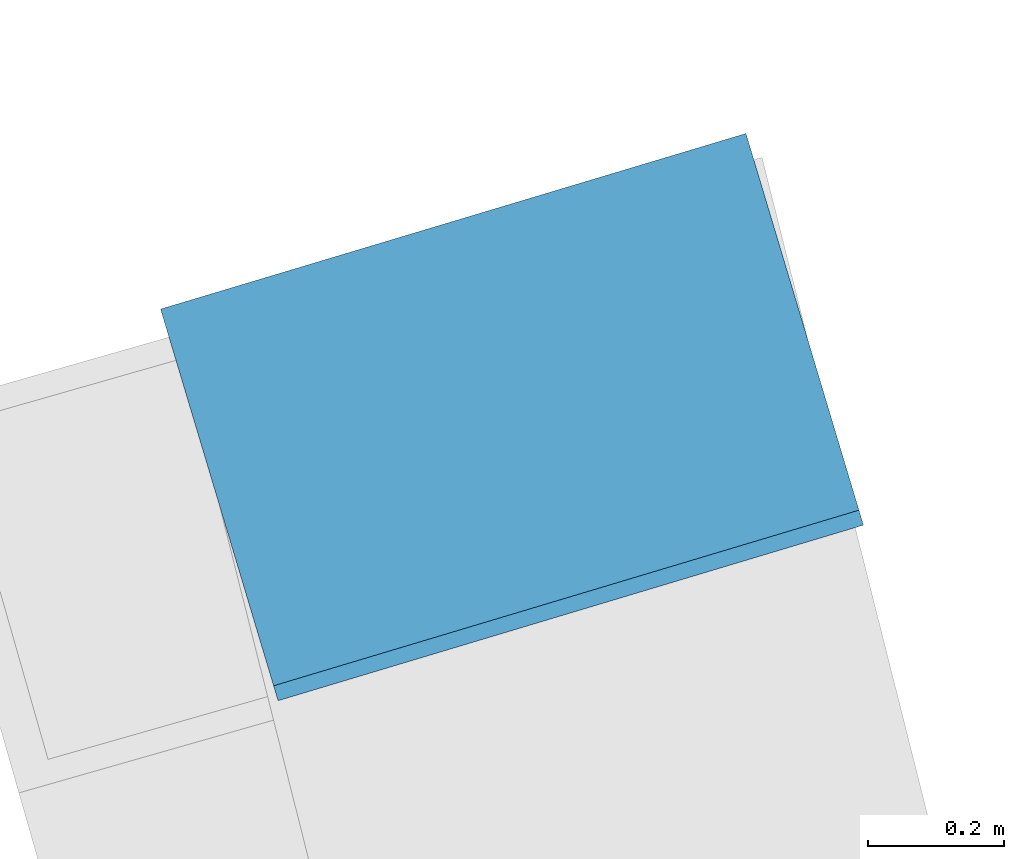
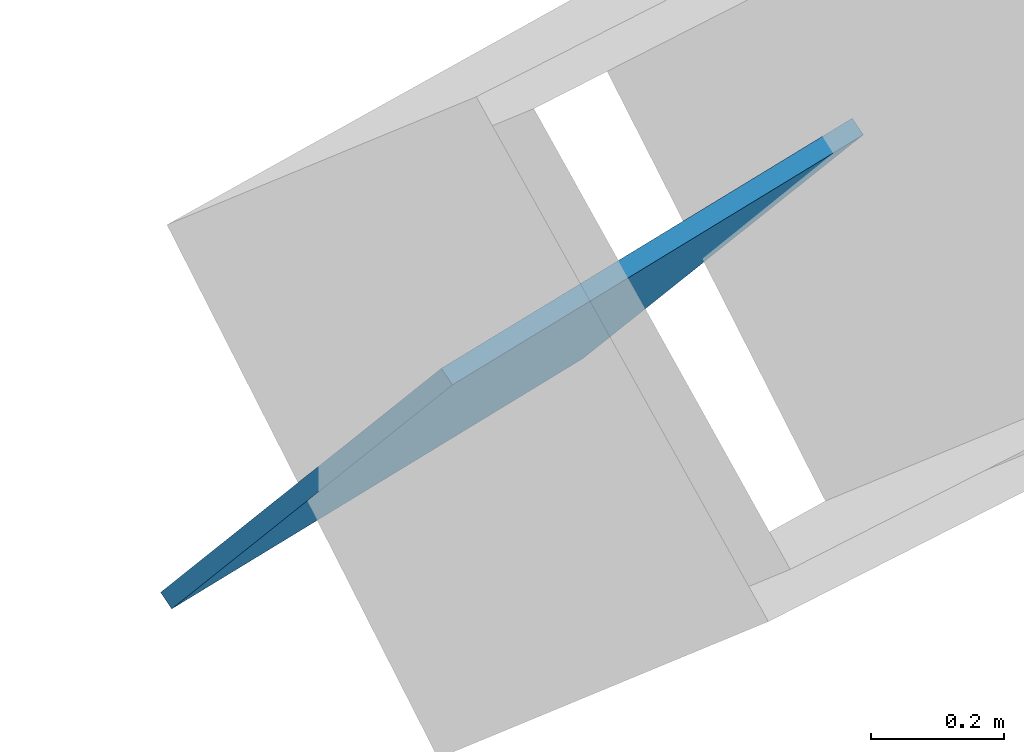
# One storey, part 21 of 24: 1 discrete accessory.
"""IFC4 building model written with IfcOpenShell, lengths in metres."""

from ifc_helpers import new_model, si_unit, direction, frame, origin, origin_2d, place, context, subcontext, project, spatial, rectangle, extrude, material, material_profile, profile_set, type_object, element, save


model = new_model("IFC4")

# Units and contexts
model_context = context("Model", 3, precision=1e-05, world=origin(), true_north=direction((0.0, 1.0)))
body_context = subcontext(model_context, "Body", "Model", "MODEL_VIEW")
ifc_project = project(units=[si_unit("LENGTHUNIT", "METRE"), si_unit("AREAUNIT", "SQUARE_METRE"), si_unit("VOLUMEUNIT", "CUBIC_METRE"), si_unit("PLANEANGLEUNIT", "RADIAN"), si_unit("MASSUNIT", "GRAM", prefix="KILO")], contexts=[model_context])

# Site, building, storey
site_placement = place(None, origin())
site = spatial("IfcSite", under=ifc_project, at=site_placement, CompositionType="ELEMENT")
building_placement = place(site_placement, origin())
building = spatial("IfcBuilding", under=site, at=building_placement, Name="Alderwake Tower", CompositionType="ELEMENT")
storey_placement = place(building_placement, frame((0.0, 0.0, 104.0)))
storey = spatial("IfcBuildingStorey", under=building, at=storey_placement, Name="L25", CompositionType="ELEMENT", Elevation=104.0)

# Discrete accessory
ifc_material = material(Name="Steel ASTM A572 Grade 50", Category="steel")
ifc_material_profile = material_profile(ifc_material, rectangle(XDim=0.89990234375, YDim=0.89990234375, at=origin_2d()), Name="BOX 900X900X55 cap")
ifc_profile_set = profile_set([ifc_material_profile], Name="Steel ASTM A572 Grade 50")
discrete_accessory_type = type_object("IfcDiscreteAccessoryType", Name="End cap plate BOX 900X900X55", PredefinedType="USERDEFINED", material=ifc_profile_set)
discrete_accessory_placement = place(storey_placement, frame((56.060791015625, 110.666015625, 0.0), z_axis=(-0.219941477406, 0.733138258022, 0.64353247093), x_axis=(-0.957826285221, -0.287347885566, 0.0)))
element("IfcDiscreteAccessory", 1, at=discrete_accessory_placement, inside=storey, type_object=discrete_accessory_type, Name="End cap BRF2.1.10A N", ObjectType="END CAP", PredefinedType="USERDEFINED", context=body_context, shape_type="SweptSolid", body=[
    extrude(rectangle(XDim=0.89990234375, YDim=0.89990234375, at=origin_2d()), origin(), (0.0, 0.0, 1.0), 0.030029296875),
])

save(model, "model.ifc")
